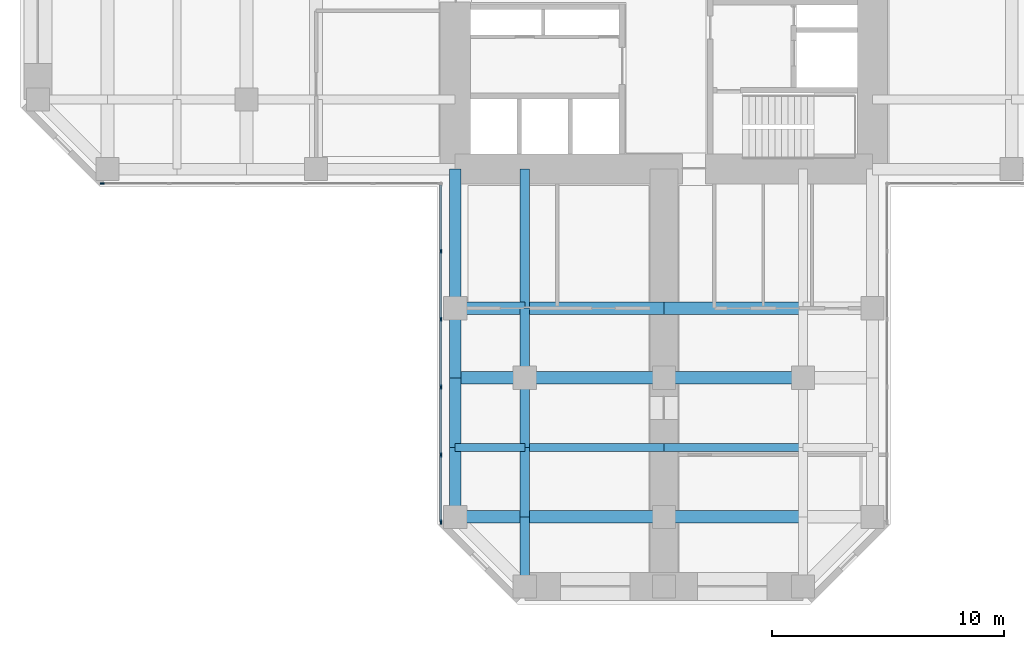
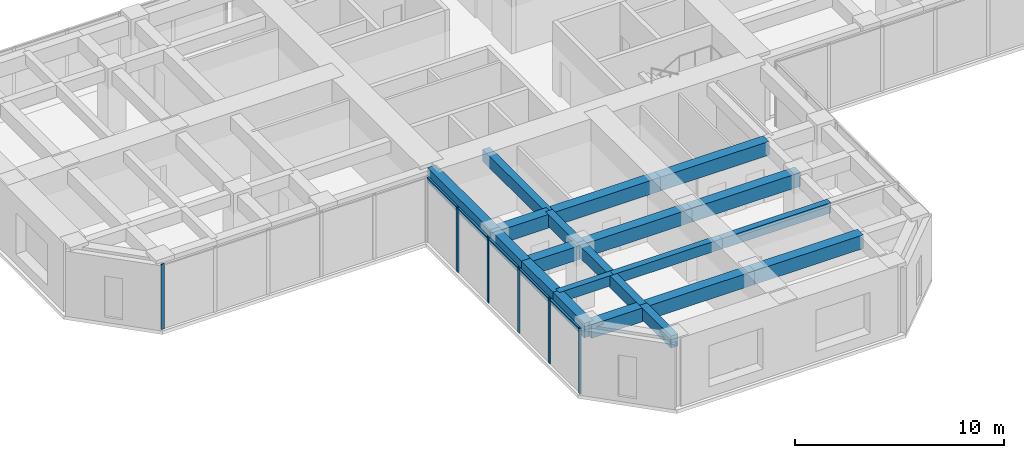
# One storey, part 2 of 12: 21 beams, 11 members, 2 elements without a shape of their own.
"""IFC4 building model written with IfcOpenShell, lengths in metres."""

from ifc_helpers import new_model, si_unit, direction, frame, origin, origin_2d, place, context, subcontext, project, spatial, rectangle, extrude, material, material_profile, profile_set, type_object, element, aggregate, save


model = new_model("IFC4")

# Units and contexts
model_context = context("Model", 3, precision=1e-05, world=origin(), true_north=direction((0.0, 1.0)))
body_context = subcontext(model_context, "Body", "Model", "MODEL_VIEW")
ifc_project = project(units=[si_unit("LENGTHUNIT", "METRE"), si_unit("AREAUNIT", "SQUARE_METRE"), si_unit("VOLUMEUNIT", "CUBIC_METRE"), si_unit("PLANEANGLEUNIT", "RADIAN"), si_unit("MASSUNIT", "GRAM", prefix="KILO")], contexts=[model_context])

# Site, building, storey
site_placement = place(None, origin())
site = spatial("IfcSite", under=ifc_project, at=site_placement, CompositionType="ELEMENT")
building_placement = place(site_placement, origin())
building = spatial("IfcBuilding", under=site, at=building_placement, Name="Torre Cruceta", CompositionType="ELEMENT")
storey_placement = place(building_placement, frame((0.0, 0.0, 120.5)))
storey = spatial("IfcBuildingStorey", under=building, at=storey_placement, Name="L29", CompositionType="ELEMENT", Elevation=120.5)

# Beams
ifc_material_1 = material(Name="Concrete G60 (fck 60 MPa)", Category="concrete")
ifc_material_profile_1 = material_profile(ifc_material_1, rectangle(XDim=0.39990234375, YDim=0.699951171875, at=origin_2d()), Name="RC 400X700")
ifc_profile_set_1 = profile_set([ifc_material_profile_1], Name="Concrete G60 (fck 60 MPa)")
beam_type_1 = type_object("IfcBeamType", Name="COLUMN LINE BEAM RC 400X700", PredefinedType="BEAM", material=ifc_profile_set_1)
beam_1_placement = place(storey_placement, frame((-6.0, -9.0, 3.449951171875), z_axis=(0.0, -1.0, 0.0), x_axis=(1.0, 0.0, 0.0)))
element("IfcBeam", 1, at=beam_1_placement, inside=storey, type_object=beam_type_1, Name="LB5 L29 S col- 1", PredefinedType="BEAM", context=body_context, shape_type="SweptSolid", body=[
    extrude(rectangle(XDim=0.39990234375, YDim=0.699951171875, at=origin_2d()), origin(), (0.0, 0.0, 1.0), 6.0),
])
for number, where, z_axis, x_axis, name in (
    (2, (-6.0, -15.0, 3.449951171875), (0.0, -1.0, 0.0), (1.0, 0.0, 0.0), "LB5 L29 S col- 2"),
    (3, (-6.0, -18.0, 3.449951171875), (0.0, -1.0, 0.0), (1.0, 0.0, 0.0), "LB5 L29 S col- 3"),
    (4, (-6.0, -21.0, 3.449951171875), (0.0, -1.0, 0.0), (1.0, 0.0, 0.0), "LB5 L29 S col- 4"),
    (5, (-6.0, -24.0, 3.449951171875), (0.0, -1.0, 0.0), (1.0, 0.0, 0.0), "LB5 L29 S col- 5"),
):
    element("IfcBeam", number, at=place(storey_placement, frame(where, z_axis=z_axis, x_axis=x_axis)), inside=storey, type_object=beam_type_1, Name=name, PredefinedType="BEAM", context=body_context, shape_type="SweptSolid", body=[
        extrude(rectangle(XDim=0.39990234375, YDim=0.699951171875, at=origin_2d()), origin(), (0.0, 0.0, 1.0), 3.0),
    ])
ifc_material_2 = material(Name="Concrete G60 (fck 60 MPa)", Category="concrete")
ifc_material_profile_2 = material_profile(ifc_material_2, rectangle(XDim=0.550048828125, YDim=0.800048828125, at=origin_2d()), Name="RC 550X800")
ifc_profile_set_2 = profile_set([ifc_material_profile_2], Name="Concrete G60 (fck 60 MPa)")
beam_type_2 = type_object("IfcBeamType", Name="CROSS BEAM RC 550X800", PredefinedType="BEAM", material=ifc_profile_set_2)
beam_2_placement = place(storey_placement, frame((-9.0, -15.0, 3.39990234375), z_axis=(1.0, 0.0, 0.0), x_axis=(0.0, 1.0, 0.0)))
element("IfcBeam", 6, at=beam_2_placement, inside=storey, type_object=beam_type_2, Name="GB5 L29 S cross15 1", PredefinedType="BEAM", context=body_context, shape_type="SweptSolid", body=[
    extrude(rectangle(XDim=0.550048828125, YDim=0.800048828125, at=origin_2d()), origin(), (0.0, 0.0, 1.0), 3.0),
])
for number, where, z_axis, x_axis, name in (
    (7, (-6.0, -15.0, 3.39990234375), (1.0, 0.0, 0.0), (0.0, 1.0, 0.0), "GB5 L29 S cross15 2"),
    (8, (0.0, -15.0, 3.39990234375), (1.0, 0.0, 0.0), (0.0, 1.0, 0.0), "GB5 L29 S cross15 3"),
):
    element("IfcBeam", number, at=place(storey_placement, frame(where, z_axis=z_axis, x_axis=x_axis)), inside=storey, type_object=beam_type_2, Name=name, PredefinedType="BEAM", context=body_context, shape_type="SweptSolid", body=[
        extrude(rectangle(XDim=0.550048828125, YDim=0.800048828125, at=origin_2d()), origin(), (0.0, 0.0, 1.0), 6.0),
    ])
beam_3_placement = place(storey_placement, frame((-9.0, -18.0, 3.39990234375), z_axis=(1.0, 0.0, 0.0), x_axis=(0.0, 1.0, 0.0)))
element("IfcBeam", 9, at=beam_3_placement, inside=storey, type_object=beam_type_2, Name="GB5 L29 S cross18 1", PredefinedType="BEAM", context=body_context, shape_type="SweptSolid", body=[
    extrude(rectangle(XDim=0.550048828125, YDim=0.800048828125, at=origin_2d()), origin(), (0.0, 0.0, 1.0), 3.0),
])
for number, where, z_axis, x_axis, name in (
    (10, (-6.0, -18.0, 3.39990234375), (1.0, 0.0, 0.0), (0.0, 1.0, 0.0), "GB5 L29 S cross18 2"),
    (11, (0.0, -18.0, 3.39990234375), (1.0, 0.0, 0.0), (0.0, 1.0, 0.0), "GB5 L29 S cross18 3"),
):
    element("IfcBeam", number, at=place(storey_placement, frame(where, z_axis=z_axis, x_axis=x_axis)), inside=storey, type_object=beam_type_2, Name=name, PredefinedType="BEAM", context=body_context, shape_type="SweptSolid", body=[
        extrude(rectangle(XDim=0.550048828125, YDim=0.800048828125, at=origin_2d()), origin(), (0.0, 0.0, 1.0), 6.0),
    ])
beam_4_placement = place(storey_placement, frame((-9.0, -24.0, 3.39990234375), z_axis=(1.0, 0.0, 0.0), x_axis=(0.0, 1.0, 0.0)))
element("IfcBeam", 12, at=beam_4_placement, inside=storey, type_object=beam_type_2, Name="GB5 L29 S cross24 1", PredefinedType="BEAM", context=body_context, shape_type="SweptSolid", body=[
    extrude(rectangle(XDim=0.550048828125, YDim=0.800048828125, at=origin_2d()), origin(), (0.0, 0.0, 1.0), 3.0),
])
for number, where, z_axis, x_axis, name in (
    (13, (-6.0, -24.0, 3.39990234375), (1.0, 0.0, 0.0), (0.0, 1.0, 0.0), "GB5 L29 S cross24 2"),
    (14, (0.0, -24.0, 3.39990234375), (1.0, 0.0, 0.0), (0.0, 1.0, 0.0), "GB5 L29 S cross24 3"),
):
    element("IfcBeam", number, at=place(storey_placement, frame(where, z_axis=z_axis, x_axis=x_axis)), inside=storey, type_object=beam_type_2, Name=name, PredefinedType="BEAM", context=body_context, shape_type="SweptSolid", body=[
        extrude(rectangle(XDim=0.550048828125, YDim=0.800048828125, at=origin_2d()), origin(), (0.0, 0.0, 1.0), 6.0),
    ])

# Curtain wall, member
ifc_material_3 = material(Name="Aluminium unitised curtain wall", Category="aluminium")
curtain_wall_type = type_object("IfcCurtainWallType", Name="CURTAIN WALL CW-B OFFICE MID RISE", PredefinedType="USERDEFINED", material=ifc_material_3)
curtain_wall_1_placement = place(storey_placement, origin())
curtain_wall_1 = element("IfcCurtainWall", 15, at=curtain_wall_1_placement, inside=storey, type_object=curtain_wall_type, Name="CW-B L29 W side 14", ObjectType="UNITISED", PredefinedType="USERDEFINED")
ifc_material_4 = material(Name="Aluminium mullion", Category="aluminium")
ifc_material_profile_3 = material_profile(ifc_material_4, rectangle(XDim=0.06494140625, YDim=0.179931640625, at=origin_2d()), Name="AL 65X180")
ifc_profile_set_3 = profile_set([ifc_material_profile_3], Name="Aluminium mullion")
member_type_1 = type_object("IfcMemberType", Name="CW-B MULLION 65X180", PredefinedType="MULLION", material=ifc_profile_set_3)
member_1_placement = place(storey_placement, frame((-24.224365234375, -9.6201171875, 0.0), z_axis=(0.0, 0.0, 1.0), x_axis=(0.0, 1.0, 0.0)))
member_1 = element("IfcMember", 16, at=member_1_placement, type_object=member_type_1, Name="CW-B mullion 1", PredefinedType="MULLION", context=body_context, shape_type="SweptSolid", body=[
    extrude(rectangle(XDim=0.06494140625, YDim=0.179931640625, at=origin_2d()), origin(), (0.0, 0.0, 1.0), 3.800048828125),
])
aggregate(curtain_wall_1, [member_1])

# Curtain wall, members
curtain_wall_2_placement = place(storey_placement, origin())
curtain_wall_2 = element("IfcCurtainWall", 17, at=curtain_wall_2_placement, inside=storey, type_object=curtain_wall_type, Name="CW-B L29 S side 15", ObjectType="UNITISED", PredefinedType="USERDEFINED")
member_2_placement = place(storey_placement, frame((-9.6201171875, -12.54736328125, 0.0), z_axis=(0.0, 0.0, 1.0), x_axis=(1.0, 0.0, 0.0)))
member_2 = element("IfcMember", 18, at=member_2_placement, type_object=member_type_1, Name="CW-B mullion 2", PredefinedType="MULLION", context=body_context, shape_type="SweptSolid", body=[
    extrude(rectangle(XDim=0.06494140625, YDim=0.179931640625, at=origin_2d()), origin(), (0.0, 0.0, 1.0), 3.800048828125),
])
member_3_placement = place(storey_placement, frame((-9.6201171875, -15.474609375, 0.0), z_axis=(0.0, 0.0, 1.0), x_axis=(1.0, 0.0, 0.0)))
member_3 = element("IfcMember", 19, at=member_3_placement, type_object=member_type_1, Name="CW-B mullion 3", PredefinedType="MULLION", context=body_context, shape_type="SweptSolid", body=[
    extrude(rectangle(XDim=0.06494140625, YDim=0.179931640625, at=origin_2d()), origin(), (0.0, 0.0, 1.0), 3.800048828125),
])
member_4_placement = place(storey_placement, frame((-9.6201171875, -18.402099609375, 0.0), z_axis=(0.0, 0.0, 1.0), x_axis=(1.0, 0.0, 0.0)))
member_4 = element("IfcMember", 20, at=member_4_placement, type_object=member_type_1, Name="CW-B mullion 4", PredefinedType="MULLION", context=body_context, shape_type="SweptSolid", body=[
    extrude(rectangle(XDim=0.06494140625, YDim=0.179931640625, at=origin_2d()), origin(), (0.0, 0.0, 1.0), 3.800048828125),
])
member_5_placement = place(storey_placement, frame((-9.6201171875, -21.329345703125, 0.0), z_axis=(0.0, 0.0, 1.0), x_axis=(1.0, 0.0, 0.0)))
member_5 = element("IfcMember", 21, at=member_5_placement, type_object=member_type_1, Name="CW-B mullion 5", PredefinedType="MULLION", context=body_context, shape_type="SweptSolid", body=[
    extrude(rectangle(XDim=0.06494140625, YDim=0.179931640625, at=origin_2d()), origin(), (0.0, 0.0, 1.0), 3.800048828125),
])
member_6_placement = place(storey_placement, frame((-9.6201171875, -24.224365234375, 0.0), z_axis=(0.0, 0.0, 1.0), x_axis=(1.0, 0.0, 0.0)))
member_6 = element("IfcMember", 22, at=member_6_placement, type_object=member_type_1, Name="CW-B mullion 6", PredefinedType="MULLION", context=body_context, shape_type="SweptSolid", body=[
    extrude(rectangle(XDim=0.06494140625, YDim=0.179931640625, at=origin_2d()), origin(), (0.0, 0.0, 1.0), 3.800048828125),
])
ifc_material_5 = material(Name="Aluminium transom", Category="aluminium")
ifc_material_profile_4 = material_profile(ifc_material_5, rectangle(XDim=0.110107421875, YDim=0.06494140625, at=origin_2d()), Name="AL 110X65")
ifc_profile_set_4 = profile_set([ifc_material_profile_4], Name="Aluminium transom")
member_type_2 = type_object("IfcMemberType", Name="CW-B TRANSOM 65X110", PredefinedType="USERDEFINED", material=ifc_profile_set_4)
member_7_placement = place(storey_placement, frame((-9.6201171875, -9.68505859375, 3.767578125), z_axis=(0.0, -1.0, 0.0), x_axis=(1.0, 0.0, 0.0)))
member_7 = element("IfcMember", 23, at=member_7_placement, type_object=member_type_2, Name="CW-B transom 1", ObjectType="TRANSOM", PredefinedType="USERDEFINED", context=body_context, shape_type="SweptSolid", body=[
    extrude(rectangle(XDim=0.110107421875, YDim=0.06494140625, at=origin_2d()), origin(), (0.0, 0.0, 1.0), 2.829833984375),
])
member_8_placement = place(storey_placement, frame((-9.6201171875, -12.579833984375, 3.767578125), z_axis=(0.0, -1.0, 0.0), x_axis=(1.0, 0.0, 0.0)))
member_8 = element("IfcMember", 24, at=member_8_placement, type_object=member_type_2, Name="CW-B transom 2", ObjectType="TRANSOM", PredefinedType="USERDEFINED", context=body_context, shape_type="SweptSolid", body=[
    extrude(rectangle(XDim=0.110107421875, YDim=0.06494140625, at=origin_2d()), origin(), (0.0, 0.0, 1.0), 2.8623046875),
])
member_9_placement = place(storey_placement, frame((-9.6201171875, -15.50732421875, 3.767578125), z_axis=(0.0, -1.0, 0.0), x_axis=(1.0, 0.0, 0.0)))
member_9 = element("IfcMember", 25, at=member_9_placement, type_object=member_type_2, Name="CW-B transom 3", ObjectType="TRANSOM", PredefinedType="USERDEFINED", context=body_context, shape_type="SweptSolid", body=[
    extrude(rectangle(XDim=0.110107421875, YDim=0.06494140625, at=origin_2d()), origin(), (0.0, 0.0, 1.0), 2.8623046875),
])
member_10_placement = place(storey_placement, frame((-9.6201171875, -18.4345703125, 3.767578125), z_axis=(0.0, -1.0, 0.0), x_axis=(1.0, 0.0, 0.0)))
member_10 = element("IfcMember", 26, at=member_10_placement, type_object=member_type_2, Name="CW-B transom 4", ObjectType="TRANSOM", PredefinedType="USERDEFINED", context=body_context, shape_type="SweptSolid", body=[
    extrude(rectangle(XDim=0.110107421875, YDim=0.06494140625, at=origin_2d()), origin(), (0.0, 0.0, 1.0), 2.8623046875),
])
member_11_placement = place(storey_placement, frame((-9.6201171875, -21.362060546875, 3.767578125), z_axis=(0.0, -1.0, 0.0), x_axis=(1.0, 0.0, 0.0)))
member_11 = element("IfcMember", 27, at=member_11_placement, type_object=member_type_2, Name="CW-B transom 5", ObjectType="TRANSOM", PredefinedType="USERDEFINED", context=body_context, shape_type="SweptSolid", body=[
    extrude(rectangle(XDim=0.110107421875, YDim=0.06494140625, at=origin_2d()), origin(), (0.0, 0.0, 1.0), 2.829833984375),
])
aggregate(curtain_wall_2, [member_2, member_3, member_4, member_5, member_6, member_7, member_8, member_9, member_10, member_11])

# Beams
ifc_material_6 = material(Name="Concrete G60 (fck 60 MPa)", Category="concrete")
ifc_material_profile_5 = material_profile(ifc_material_6, rectangle(XDim=0.35009765625, YDim=0.60009765625, at=origin_2d()), Name="RC 350X600")
ifc_profile_set_5 = profile_set([ifc_material_profile_5], Name="Concrete G60 (fck 60 MPa)")
beam_type_3 = type_object("IfcBeamType", Name="SECONDARY BEAM RC 350X600", PredefinedType="JOIST", material=ifc_profile_set_5)
beam_5_placement = place(storey_placement, frame((-9.0, -21.0, 3.5), z_axis=(1.0, 0.0, 0.0), x_axis=(0.0, 1.0, 0.0)))
element("IfcBeam", 28, at=beam_5_placement, inside=storey, type_object=beam_type_3, Name="JB5 L29 S sec21 1", PredefinedType="JOIST", context=body_context, shape_type="SweptSolid", body=[
    extrude(rectangle(XDim=0.35009765625, YDim=0.60009765625, at=origin_2d()), origin(), (0.0, 0.0, 1.0), 3.0),
])
for number, where, z_axis, x_axis, name in (
    (29, (-6.0, -21.0, 3.5), (1.0, 0.0, 0.0), (0.0, 1.0, 0.0), "JB5 L29 S sec21 2"),
    (30, (0.0, -21.0, 3.5), (1.0, 0.0, 0.0), (0.0, 1.0, 0.0), "JB5 L29 S sec21 3"),
):
    element("IfcBeam", number, at=place(storey_placement, frame(where, z_axis=z_axis, x_axis=x_axis)), inside=storey, type_object=beam_type_3, Name=name, PredefinedType="JOIST", context=body_context, shape_type="SweptSolid", body=[
        extrude(rectangle(XDim=0.35009765625, YDim=0.60009765625, at=origin_2d()), origin(), (0.0, 0.0, 1.0), 6.0),
    ])
ifc_material_7 = material(Name="Concrete G60 (fck 60 MPa)", Category="concrete")
ifc_material_profile_6 = material_profile(ifc_material_7, rectangle(XDim=0.5, YDim=0.85009765625, at=origin_2d()), Name="RC 500X850")
ifc_profile_set_6 = profile_set([ifc_material_profile_6], Name="Concrete G60 (fck 60 MPa)")
beam_type_4 = type_object("IfcBeamType", Name="SPANDREL BEAM RC 500X850", PredefinedType="SPANDREL", material=ifc_profile_set_6)
beam_6_placement = place(storey_placement, frame((-9.0, -9.0, 3.375), z_axis=(0.0, -1.0, 0.0), x_axis=(1.0, 0.0, 0.0)))
element("IfcBeam", 31, at=beam_6_placement, inside=storey, type_object=beam_type_4, Name="SB5 L29 S side- 1", PredefinedType="SPANDREL", context=body_context, shape_type="SweptSolid", body=[
    extrude(rectangle(XDim=0.5, YDim=0.85009765625, at=origin_2d()), origin(), (0.0, 0.0, 1.0), 6.0),
])
for number, where, z_axis, x_axis, name in (
    (32, (-9.0, -15.0, 3.375), (0.0, -1.0, 0.0), (1.0, 0.0, 0.0), "SB5 L29 S side- 2"),
    (33, (-9.0, -18.0, 3.375), (0.0, -1.0, 0.0), (1.0, 0.0, 0.0), "SB5 L29 S side- 3"),
    (34, (-9.0, -21.0, 3.375), (0.0, -1.0, 0.0), (1.0, 0.0, 0.0), "SB5 L29 S side- 4"),
):
    element("IfcBeam", number, at=place(storey_placement, frame(where, z_axis=z_axis, x_axis=x_axis)), inside=storey, type_object=beam_type_4, Name=name, PredefinedType="SPANDREL", context=body_context, shape_type="SweptSolid", body=[
        extrude(rectangle(XDim=0.5, YDim=0.85009765625, at=origin_2d()), origin(), (0.0, 0.0, 1.0), 3.0),
    ])

save(model, "model.ifc")
